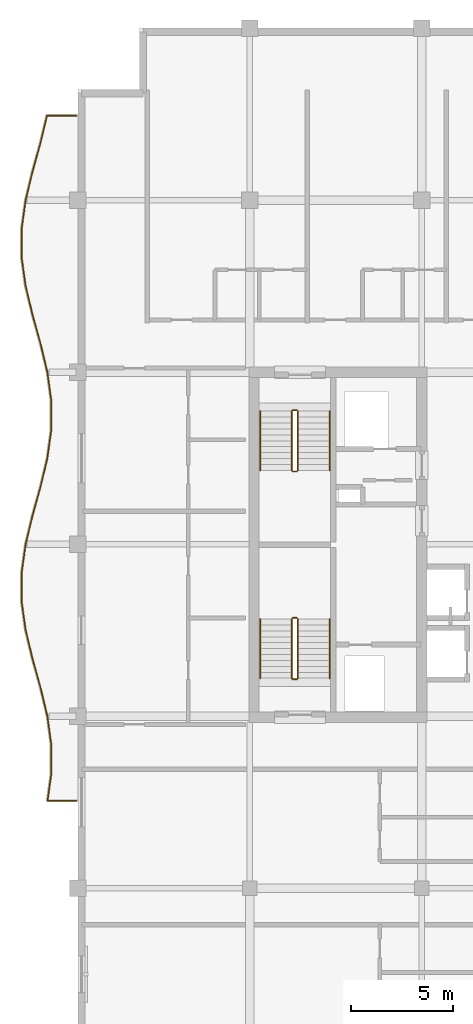
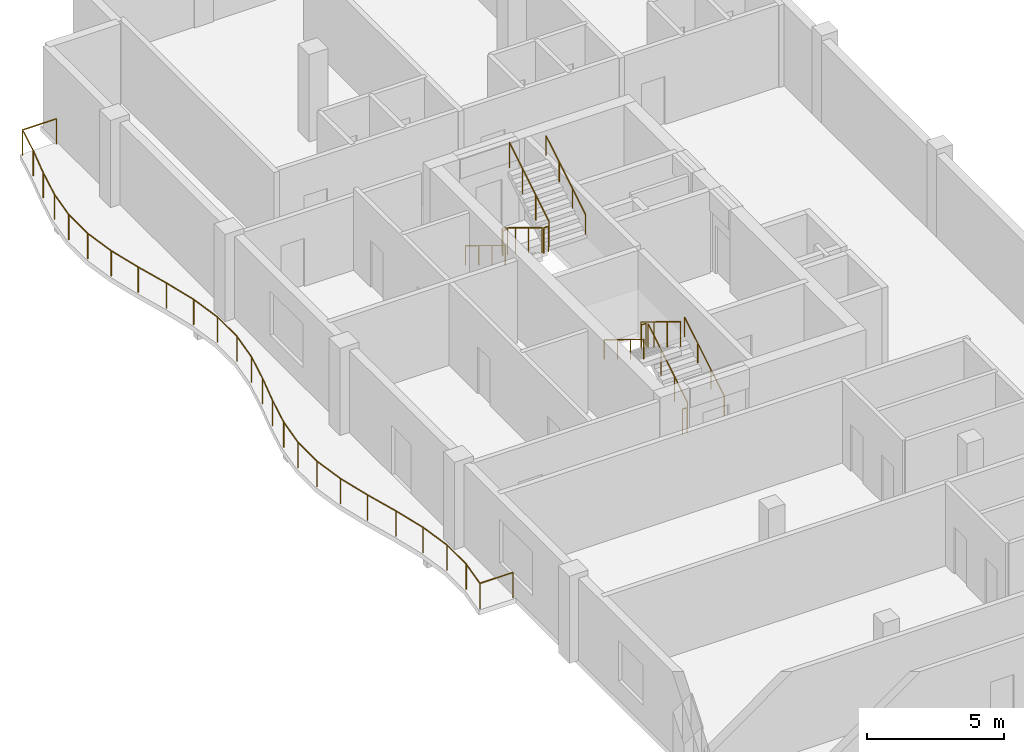
# One storey, part 12 of 12: 13 railings.
"""IFC4 building model written with IfcOpenShell, lengths in metres."""

from ifc_helpers import new_model, si_unit, direction, frame, origin, origin_2d, place, context, subcontext, project, spatial, circle, extrude, material, type_object, element, save


model = new_model("IFC4")

# Units and contexts
model_context = context("Model", 3, precision=1e-05, world=origin(), true_north=direction((0.0, 1.0)))
body_context = subcontext(model_context, "Body", "Model", "MODEL_VIEW")
ifc_project = project(units=[si_unit("LENGTHUNIT", "METRE"), si_unit("AREAUNIT", "SQUARE_METRE"), si_unit("VOLUMEUNIT", "CUBIC_METRE"), si_unit("PLANEANGLEUNIT", "RADIAN"), si_unit("MASSUNIT", "GRAM", prefix="KILO")], contexts=[model_context])

# Site, building, storey
site_placement = place(None, origin())
site = spatial("IfcSite", under=ifc_project, at=site_placement, CompositionType="ELEMENT")
building_placement = place(site_placement, origin())
building = spatial("IfcBuilding", under=site, at=building_placement, Name="Koriwani Terraces Tower", CompositionType="ELEMENT")
storey_placement = place(building_placement, frame((0.0, 0.0, 328.10009765625)))
storey = spatial("IfcBuildingStorey", under=building, at=storey_placement, Name="L81", CompositionType="ELEMENT", Elevation=328.10009765625)

# Railings
ifc_material = material(Name="Steel ASTM A572 Grade 50", Category="steel")
railing_type_1 = type_object("IfcRailingType", Name="GUARD_BALUSTRADE_1150", PredefinedType="BALUSTRADE", material=ifc_material)
railing_1_placement = place(storey_placement, frame((8.320068359375, 37.8798828125, 0.0)))
element("IfcRailing", 1, at=railing_1_placement, inside=storey, type_object=railing_type_1, Name="L81 Balcony Perimeter Safety Balustrade (W)", PredefinedType="BALUSTRADE", context=body_context, shape_type="SweptSolid", body=[
    extrude(circle(Radius=0.02392578125, at=origin_2d()), frame((0.0, 0.0, 1.1259765625), z_axis=(-1.0, 0.0, 0.0), x_axis=(0.0, -1.0, 0.0)), (0.0, 0.0, 1.0), 1.39794921875),
    extrude(circle(Radius=0.02392578125, at=origin_2d()), frame((-1.39794921875, 0.0, 1.1259765625), z_axis=(0.137041987632, 0.99056523946, 0.0), x_axis=(-0.99056523946, 0.137041987632, 0.0)), (0.0, 0.0, 1.0), 1.3271484375),
    extrude(circle(Radius=0.02392578125, at=origin_2d()), frame((-1.216064453125, 1.314697265625, 1.1259765625), z_axis=(0.0, 1.0, 0.0), x_axis=(-1.0, 0.0, 0.0)), (0.0, 0.0, 1.0), 1.410888671875),
    extrude(circle(Radius=0.02392578125, at=origin_2d()), frame((-1.216064453125, 2.7255859375, 1.1259765625), z_axis=(-0.137264429555, 0.990534439774, 0.0), x_axis=(-0.990534439774, -0.137264429555, 0.0)), (0.0, 0.0, 1.0), 1.4228515625),
    extrude(circle(Radius=0.02392578125, at=origin_2d()), frame((-1.411376953125, 4.135009765625, 1.1259765625), z_axis=(-0.233340999769, 0.972394970075, 0.0), x_axis=(-0.972394970075, -0.233340999769, 0.0)), (0.0, 0.0, 1.0), 1.44482421875),
    extrude(circle(Radius=0.02392578125, at=origin_2d()), frame((-1.74853515625, 5.5400390625, 1.1259765625), z_axis=(-0.26716718525, 0.963650193341, 0.0), x_axis=(-0.963650193341, -0.26716718525, 0.0)), (0.0, 0.0, 1.0), 1.452880859375),
    extrude(circle(Radius=0.02392578125, at=origin_2d()), frame((-2.13671875, 6.940185546875, 1.1259765625), z_axis=(-0.233514568862, 0.972353303141, 0.0), x_axis=(-0.972353303141, -0.233514568862, 0.0)), (0.0, 0.0, 1.0), 1.434326171875),
    extrude(circle(Radius=0.02392578125, at=origin_2d()), frame((-2.4716796875, 8.3349609375, 1.1259765625), z_axis=(-0.137378806302, 0.990518583157, 0.0), x_axis=(-0.990518583157, -0.137378806302, 0.0)), (0.0, 0.0, 1.0), 1.404052734375),
    extrude(circle(Radius=0.02392578125, at=origin_2d()), frame((-2.66455078125, 9.7255859375, 1.1259765625), z_axis=(0.0, 1.0, 0.0), x_axis=(-1.0, 0.0, 0.0)), (0.0, 0.0, 1.0), 1.388916015625),
    extrude(circle(Radius=0.02392578125, at=origin_2d()), frame((-2.66455078125, 11.114501953125, 1.1259765625), z_axis=(0.137378806302, 0.990518583157, 0.0), x_axis=(-0.990518583157, 0.137378806302, 0.0)), (0.0, 0.0, 1.0), 1.404052734375),
    extrude(circle(Radius=0.02392578125, at=origin_2d()), frame((-2.4716796875, 12.505126953125, 1.1259765625), z_axis=(0.23347592966, 0.972362581689, 0.0), x_axis=(-0.972362581689, 0.23347592966, 0.0)), (0.0, 0.0, 1.0), 1.4345703125),
    extrude(circle(Radius=0.02392578125, at=origin_2d()), frame((-2.13671875, 13.900146484375, 1.1259765625), z_axis=(0.267210452187, 0.963638196753, 0.0), x_axis=(-0.963638196753, 0.267210452187, 0.0)), (0.0, 0.0, 1.0), 1.45263671875),
    extrude(circle(Radius=0.02392578125, at=origin_2d()), frame((-1.74853515625, 15.300048828125, 1.1259765625), z_axis=(0.233302667738, 0.972404167631, 0.0), x_axis=(-0.972404167631, 0.233302667738, 0.0)), (0.0, 0.0, 1.0), 1.445068359375),
    extrude(circle(Radius=0.02392578125, at=origin_2d()), frame((-1.411376953125, 16.705322265625, 1.1259765625), z_axis=(0.137287762455, 0.990531206111, 0.0), x_axis=(-0.990531206111, 0.137287762455, 0.0)), (0.0, 0.0, 1.0), 1.422607421875),
    extrude(circle(Radius=0.02392578125, at=origin_2d()), frame((-1.216064453125, 18.114501953125, 1.1259765625), z_axis=(0.0, 1.0, 0.0), x_axis=(-1.0, 0.0, 0.0)), (0.0, 0.0, 1.0), 1.4111328125),
    extrude(circle(Radius=0.02392578125, at=origin_2d()), frame((-1.216064453125, 19.525634765625, 1.1259765625), z_axis=(-0.137287762455, 0.990531206111, 0.0), x_axis=(-0.990531206111, -0.137287762455, 0.0)), (0.0, 0.0, 1.0), 1.422607421875),
    extrude(circle(Radius=0.02392578125, at=origin_2d()), frame((-1.411376953125, 20.934814453125, 1.1259765625), z_axis=(-0.233302667738, 0.972404167631, 0.0), x_axis=(-0.972404167631, -0.233302667738, 0.0)), (0.0, 0.0, 1.0), 1.445068359375),
    extrude(circle(Radius=0.02392578125, at=origin_2d()), frame((-1.74853515625, 22.340087890625, 1.1259765625), z_axis=(-0.26716718525, 0.963650193341, 0.0), x_axis=(-0.963650193341, -0.26716718525, 0.0)), (0.0, 0.0, 1.0), 1.452880859375),
    extrude(circle(Radius=0.02392578125, at=origin_2d()), frame((-2.13671875, 23.740234375, 1.1259765625), z_axis=(-0.233514568862, 0.972353303141, 0.0), x_axis=(-0.972353303141, -0.233514568862, 0.0)), (0.0, 0.0, 1.0), 1.434326171875),
    extrude(circle(Radius=0.02392578125, at=origin_2d()), frame((-2.4716796875, 25.135009765625, 1.1259765625), z_axis=(-0.137378806302, 0.990518583157, 0.0), x_axis=(-0.990518583157, -0.137378806302, 0.0)), (0.0, 0.0, 1.0), 1.404052734375),
    extrude(circle(Radius=0.02392578125, at=origin_2d()), frame((-2.66455078125, 26.525634765625, 1.1259765625), z_axis=(0.0, 1.0, 0.0), x_axis=(-1.0, 0.0, 0.0)), (0.0, 0.0, 1.0), 1.388916015625),
    extrude(circle(Radius=0.02392578125, at=origin_2d()), frame((-2.66455078125, 27.91455078125, 1.1259765625), z_axis=(0.137378806302, 0.990518583157, 0.0), x_axis=(-0.990518583157, 0.137378806302, 0.0)), (0.0, 0.0, 1.0), 1.404052734375),
    extrude(circle(Radius=0.02392578125, at=origin_2d()), frame((-2.4716796875, 29.30517578125, 1.1259765625), z_axis=(0.23347592966, 0.972362581689, 0.0), x_axis=(-0.972362581689, 0.23347592966, 0.0)), (0.0, 0.0, 1.0), 1.4345703125),
    extrude(circle(Radius=0.02392578125, at=origin_2d()), frame((-2.13671875, 30.7001953125, 1.1259765625), z_axis=(0.267210452187, 0.963638196753, 0.0), x_axis=(-0.963638196753, 0.267210452187, 0.0)), (0.0, 0.0, 1.0), 1.45263671875),
    extrude(circle(Radius=0.02392578125, at=origin_2d()), frame((-1.74853515625, 32.10009765625, 1.1259765625), z_axis=(0.233480150638, 0.972361568172, 0.0), x_axis=(-0.972361568172, 0.233480150638, 0.0)), (0.0, 0.0, 1.0), 1.378173828125),
    extrude(circle(Radius=0.02392578125, at=origin_2d()), frame((-1.4267578125, 33.440185546875, 1.1259765625), z_axis=(1.0, 0.0, 0.0), x_axis=(0.0, 1.0, 0.0)), (0.0, 0.0, 1.0), 1.4267578125),
    extrude(circle(Radius=0.02099609375, at=origin_2d()), origin(), (0.0, 0.0, 1.0), 1.101806640625),
    extrude(circle(Radius=0.02099609375, at=origin_2d()), frame((-1.39794921875, 0.0, 0.0)), (0.0, 0.0, 1.0), 1.101806640625),
    extrude(circle(Radius=0.02099609375, at=origin_2d()), frame((-1.216064453125, 1.314697265625, 0.0)), (0.0, 0.0, 1.0), 1.101806640625),
    extrude(circle(Radius=0.02099609375, at=origin_2d()), frame((-1.216064453125, 2.7255859375, 0.0)), (0.0, 0.0, 1.0), 1.101806640625),
    extrude(circle(Radius=0.02099609375, at=origin_2d()), frame((-1.411376953125, 4.135009765625, 0.0)), (0.0, 0.0, 1.0), 1.101806640625),
    extrude(circle(Radius=0.02099609375, at=origin_2d()), frame((-1.74853515625, 5.5400390625, 0.0)), (0.0, 0.0, 1.0), 1.101806640625),
    extrude(circle(Radius=0.02099609375, at=origin_2d()), frame((-2.13671875, 6.940185546875, 0.0)), (0.0, 0.0, 1.0), 1.101806640625),
    extrude(circle(Radius=0.02099609375, at=origin_2d()), frame((-2.4716796875, 8.3349609375, 0.0)), (0.0, 0.0, 1.0), 1.101806640625),
    extrude(circle(Radius=0.02099609375, at=origin_2d()), frame((-2.66455078125, 9.7255859375, 0.0)), (0.0, 0.0, 1.0), 1.101806640625),
    extrude(circle(Radius=0.02099609375, at=origin_2d()), frame((-2.66455078125, 11.114501953125, 0.0)), (0.0, 0.0, 1.0), 1.101806640625),
    extrude(circle(Radius=0.02099609375, at=origin_2d()), frame((-2.4716796875, 12.505126953125, 0.0)), (0.0, 0.0, 1.0), 1.101806640625),
    extrude(circle(Radius=0.02099609375, at=origin_2d()), frame((-2.13671875, 13.900146484375, 0.0)), (0.0, 0.0, 1.0), 1.101806640625),
    extrude(circle(Radius=0.02099609375, at=origin_2d()), frame((-1.74853515625, 15.300048828125, 0.0)), (0.0, 0.0, 1.0), 1.101806640625),
    extrude(circle(Radius=0.02099609375, at=origin_2d()), frame((-1.411376953125, 16.705322265625, 0.0)), (0.0, 0.0, 1.0), 1.101806640625),
    extrude(circle(Radius=0.02099609375, at=origin_2d()), frame((-1.216064453125, 18.114501953125, 0.0)), (0.0, 0.0, 1.0), 1.101806640625),
    extrude(circle(Radius=0.02099609375, at=origin_2d()), frame((-1.216064453125, 19.525634765625, 0.0)), (0.0, 0.0, 1.0), 1.101806640625),
    extrude(circle(Radius=0.02099609375, at=origin_2d()), frame((-1.411376953125, 20.934814453125, 0.0)), (0.0, 0.0, 1.0), 1.101806640625),
    extrude(circle(Radius=0.02099609375, at=origin_2d()), frame((-1.74853515625, 22.340087890625, 0.0)), (0.0, 0.0, 1.0), 1.101806640625),
    extrude(circle(Radius=0.02099609375, at=origin_2d()), frame((-2.13671875, 23.740234375, 0.0)), (0.0, 0.0, 1.0), 1.101806640625),
    extrude(circle(Radius=0.02099609375, at=origin_2d()), frame((-2.4716796875, 25.135009765625, 0.0)), (0.0, 0.0, 1.0), 1.101806640625),
    extrude(circle(Radius=0.02099609375, at=origin_2d()), frame((-2.66455078125, 26.525634765625, 0.0)), (0.0, 0.0, 1.0), 1.101806640625),
    extrude(circle(Radius=0.02099609375, at=origin_2d()), frame((-2.66455078125, 27.91455078125, 0.0)), (0.0, 0.0, 1.0), 1.101806640625),
    extrude(circle(Radius=0.02099609375, at=origin_2d()), frame((-2.4716796875, 29.30517578125, 0.0)), (0.0, 0.0, 1.0), 1.101806640625),
    extrude(circle(Radius=0.02099609375, at=origin_2d()), frame((-2.13671875, 30.7001953125, 0.0)), (0.0, 0.0, 1.0), 1.101806640625),
    extrude(circle(Radius=0.02099609375, at=origin_2d()), frame((-1.74853515625, 32.10009765625, 0.0)), (0.0, 0.0, 1.0), 1.101806640625),
    extrude(circle(Radius=0.02099609375, at=origin_2d()), frame((-1.4267578125, 33.440185546875, 0.0)), (0.0, 0.0, 1.0), 1.101806640625),
    extrude(circle(Radius=0.02099609375, at=origin_2d()), frame((0.0, 33.440185546875, 0.0)), (0.0, 0.0, 1.0), 1.101806640625),
])
railing_type_2 = type_object("IfcRailingType", Name="GUARD_STAIR_WELL_1120", PredefinedType="GUARDRAIL", material=ifc_material)
railing_2_placement = place(storey_placement, frame((19.14990234375, 43.85009765625, 0.17724609375)))
element("IfcRailing", 2, at=railing_2_placement, inside=storey, type_object=railing_type_2, Name="L81 ST-W1 stair guard 1", PredefinedType="GUARDRAIL", context=body_context, shape_type="SweptSolid", body=[
    extrude(circle(Radius=0.02392578125, at=origin_2d()), frame((0.0, 0.0, 1.1259765625), z_axis=(0.0, 0.853210801645, 0.521566225858), x_axis=(-1.0, 0.0, 0.0)), (0.0, 0.0, 1.0), 3.39892578125),
    extrude(circle(Radius=0.02099609375, at=origin_2d()), origin(), (0.0, 0.0, 1.0), 1.101806640625),
    extrude(circle(Radius=0.02099609375, at=origin_2d()), frame((0.0, 0.966552734375, 0.5908203125)), (0.0, 0.0, 1.0), 1.101806640625),
    extrude(circle(Radius=0.02099609375, at=origin_2d()), frame((0.0, 1.933349609375, 1.181884765625)), (0.0, 0.0, 1.0), 1.101806640625),
    extrude(circle(Radius=0.02099609375, at=origin_2d()), frame((0.0, 2.89990234375, 1.772705078125)), (0.0, 0.0, 1.0), 1.101806640625),
])
railing_3_placement = place(storey_placement, frame((19.10009765625, 46.800048828125, 1.949951171875)))
element("IfcRailing", 3, at=railing_3_placement, inside=storey, type_object=railing_type_2, Name="L81 ST-W1 stair guard 2", PredefinedType="GUARDRAIL", context=body_context, shape_type="SweptSolid", body=[
    extrude(circle(Radius=0.02392578125, at=origin_2d()), frame((0.0, 0.0, 1.1259765625), z_axis=(-1.0, 0.0, 0.0), x_axis=(0.0, -1.0, 0.0)), (0.0, 0.0, 1.0), 0.2001953125),
    extrude(circle(Radius=0.02099609375, at=origin_2d()), origin(), (0.0, 0.0, 1.0), 1.101806640625),
    extrude(circle(Radius=0.02099609375, at=origin_2d()), frame((-0.2001953125, 0.0, 0.0)), (0.0, 0.0, 1.0), 1.101806640625),
])
railing_4_placement = place(storey_placement, frame((18.85009765625, 46.75, 2.127197265625)))
element("IfcRailing", 4, at=railing_4_placement, inside=storey, type_object=railing_type_2, Name="L81 ST-W1 stair guard 3", PredefinedType="GUARDRAIL", context=body_context, shape_type="SweptSolid", body=[
    extrude(circle(Radius=0.02392578125, at=origin_2d()), frame((0.0, 0.0, 1.1259765625), z_axis=(0.0, -0.853210801645, 0.521566225858), x_axis=(1.0, 0.0, 0.0)), (0.0, 0.0, 1.0), 3.39892578125),
    extrude(circle(Radius=0.02099609375, at=origin_2d()), origin(), (0.0, 0.0, 1.0), 1.101806640625),
    extrude(circle(Radius=0.02099609375, at=origin_2d()), frame((0.0, -0.966552734375, 0.5908203125)), (0.0, 0.0, 1.0), 1.101806640625),
    extrude(circle(Radius=0.02099609375, at=origin_2d()), frame((0.0, -1.933349609375, 1.181884765625)), (0.0, 0.0, 1.0), 1.101806640625),
    extrude(circle(Radius=0.02099609375, at=origin_2d()), frame((0.0, -2.89990234375, 1.772705078125)), (0.0, 0.0, 1.0), 1.101806640625),
])
railing_5_placement = place(storey_placement, frame((19.10009765625, 43.800048828125, 0.0)))
element("IfcRailing", 5, at=railing_5_placement, inside=storey, type_object=railing_type_2, Name="L81 ST-W1 stair guard 4", PredefinedType="GUARDRAIL", context=body_context, shape_type="SweptSolid", body=[
    extrude(circle(Radius=0.02392578125, at=origin_2d()), frame((0.0, 0.0, 1.1259765625), z_axis=(-1.0, 0.0, 0.0), x_axis=(0.0, -1.0, 0.0)), (0.0, 0.0, 1.0), 0.2001953125),
    extrude(circle(Radius=0.02099609375, at=origin_2d()), origin(), (0.0, 0.0, 1.0), 1.101806640625),
    extrude(circle(Radius=0.02099609375, at=origin_2d()), frame((-0.2001953125, 0.0, 0.0)), (0.0, 0.0, 1.0), 1.101806640625),
])
railing_6_placement = place(storey_placement, frame((18.85009765625, 56.89990234375, 0.17724609375)))
element("IfcRailing", 6, at=railing_6_placement, inside=storey, type_object=railing_type_2, Name="L81 ST-W2 stair guard 1", PredefinedType="GUARDRAIL", context=body_context, shape_type="SweptSolid", body=[
    extrude(circle(Radius=0.02392578125, at=origin_2d()), frame((0.0, 0.0, 1.1259765625), z_axis=(0.0, -0.853210801645, 0.521566225858), x_axis=(1.0, 0.0, 0.0)), (0.0, 0.0, 1.0), 3.39892578125),
    extrude(circle(Radius=0.02099609375, at=origin_2d()), origin(), (0.0, 0.0, 1.0), 1.101806640625),
    extrude(circle(Radius=0.02099609375, at=origin_2d()), frame((0.0, -0.966552734375, 0.5908203125)), (0.0, 0.0, 1.0), 1.101806640625),
    extrude(circle(Radius=0.02099609375, at=origin_2d()), frame((0.0, -1.933349609375, 1.181884765625)), (0.0, 0.0, 1.0), 1.101806640625),
    extrude(circle(Radius=0.02099609375, at=origin_2d()), frame((0.0, -2.89990234375, 1.772705078125)), (0.0, 0.0, 1.0), 1.101806640625),
])
railing_7_placement = place(storey_placement, frame((18.89990234375, 53.949951171875, 1.949951171875)))
element("IfcRailing", 7, at=railing_7_placement, inside=storey, type_object=railing_type_2, Name="L81 ST-W2 stair guard 2", PredefinedType="GUARDRAIL", context=body_context, shape_type="SweptSolid", body=[
    extrude(circle(Radius=0.02392578125, at=origin_2d()), frame((0.0, 0.0, 1.1259765625), z_axis=(1.0, 0.0, 0.0), x_axis=(0.0, 1.0, 0.0)), (0.0, 0.0, 1.0), 0.2001953125),
    extrude(circle(Radius=0.02099609375, at=origin_2d()), origin(), (0.0, 0.0, 1.0), 1.101806640625),
    extrude(circle(Radius=0.02099609375, at=origin_2d()), frame((0.2001953125, 0.0, 0.0)), (0.0, 0.0, 1.0), 1.101806640625),
])
railing_8_placement = place(storey_placement, frame((19.14990234375, 54.0, 2.127197265625)))
element("IfcRailing", 8, at=railing_8_placement, inside=storey, type_object=railing_type_2, Name="L81 ST-W2 stair guard 3", PredefinedType="GUARDRAIL", context=body_context, shape_type="SweptSolid", body=[
    extrude(circle(Radius=0.02392578125, at=origin_2d()), frame((0.0, 0.0, 1.1259765625), z_axis=(0.0, 0.853210801645, 0.521566225858), x_axis=(-1.0, 0.0, 0.0)), (0.0, 0.0, 1.0), 3.39892578125),
    extrude(circle(Radius=0.02099609375, at=origin_2d()), origin(), (0.0, 0.0, 1.0), 1.101806640625),
    extrude(circle(Radius=0.02099609375, at=origin_2d()), frame((0.0, 0.966552734375, 0.5908203125)), (0.0, 0.0, 1.0), 1.101806640625),
    extrude(circle(Radius=0.02099609375, at=origin_2d()), frame((0.0, 1.933349609375, 1.181884765625)), (0.0, 0.0, 1.0), 1.101806640625),
    extrude(circle(Radius=0.02099609375, at=origin_2d()), frame((0.0, 2.89990234375, 1.772705078125)), (0.0, 0.0, 1.0), 1.101806640625),
])
railing_9_placement = place(storey_placement, frame((18.89990234375, 56.949951171875, 0.0)))
element("IfcRailing", 9, at=railing_9_placement, inside=storey, type_object=railing_type_2, Name="L81 ST-W2 stair guard 4", PredefinedType="GUARDRAIL", context=body_context, shape_type="SweptSolid", body=[
    extrude(circle(Radius=0.02392578125, at=origin_2d()), frame((0.0, 0.0, 1.1259765625), z_axis=(1.0, 0.0, 0.0), x_axis=(0.0, 1.0, 0.0)), (0.0, 0.0, 1.0), 0.2001953125),
    extrude(circle(Radius=0.02099609375, at=origin_2d()), origin(), (0.0, 0.0, 1.0), 1.101806640625),
    extrude(circle(Radius=0.02099609375, at=origin_2d()), frame((0.2001953125, 0.0, 0.0)), (0.0, 0.0, 1.0), 1.101806640625),
])
railing_type_3 = type_object("IfcRailingType", Name="HANDRAIL_STAIR_920", PredefinedType="HANDRAIL", material=ifc_material)
railing_10_placement = place(storey_placement, frame((20.699951171875, 43.85009765625, 0.17724609375)))
element("IfcRailing", 10, at=railing_10_placement, inside=storey, type_object=railing_type_3, Name="L81 ST-W1 stair handrail 1", PredefinedType="HANDRAIL", context=body_context, shape_type="SweptSolid", body=[
    extrude(circle(Radius=0.02392578125, at=origin_2d()), frame((0.0, 0.0, 0.8759765625), z_axis=(0.0, 0.853210801645, 0.521566225858), x_axis=(-1.0, 0.0, 0.0)), (0.0, 0.0, 1.0), 3.39892578125),
    extrude(circle(Radius=0.02099609375, at=origin_2d()), origin(), (0.0, 0.0, 1.0), 0.851806640625),
    extrude(circle(Radius=0.02099609375, at=origin_2d()), frame((0.0, 0.966552734375, 0.5908203125)), (0.0, 0.0, 1.0), 0.851806640625),
    extrude(circle(Radius=0.02099609375, at=origin_2d()), frame((0.0, 1.933349609375, 1.181884765625)), (0.0, 0.0, 1.0), 0.851806640625),
    extrude(circle(Radius=0.02099609375, at=origin_2d()), frame((0.0, 2.89990234375, 1.772705078125)), (0.0, 0.0, 1.0), 0.851806640625),
])
for number, where, name in (
    (11, (17.300048828125, 46.75, 2.127197265625), "L81 ST-W1 stair handrail 2"),
    (12, (17.300048828125, 56.89990234375, 0.17724609375), "L81 ST-W2 stair handrail 1"),
):
    element("IfcRailing", number, at=place(storey_placement, frame(where)), inside=storey, type_object=railing_type_3, Name=name, PredefinedType="HANDRAIL", context=body_context, shape_type="SweptSolid", body=[
        extrude(circle(Radius=0.02392578125, at=origin_2d()), frame((0.0, 0.0, 0.8759765625), z_axis=(0.0, -0.853210801645, 0.521566225858), x_axis=(1.0, 0.0, 0.0)), (0.0, 0.0, 1.0), 3.39892578125),
        extrude(circle(Radius=0.02099609375, at=origin_2d()), origin(), (0.0, 0.0, 1.0), 0.851806640625),
        extrude(circle(Radius=0.02099609375, at=origin_2d()), frame((0.0, -0.966552734375, 0.5908203125)), (0.0, 0.0, 1.0), 0.851806640625),
        extrude(circle(Radius=0.02099609375, at=origin_2d()), frame((0.0, -1.933349609375, 1.181884765625)), (0.0, 0.0, 1.0), 0.851806640625),
        extrude(circle(Radius=0.02099609375, at=origin_2d()), frame((0.0, -2.89990234375, 1.772705078125)), (0.0, 0.0, 1.0), 0.851806640625),
    ])
railing_11_placement = place(storey_placement, frame((20.699951171875, 54.0, 2.127197265625)))
element("IfcRailing", 13, at=railing_11_placement, inside=storey, type_object=railing_type_3, Name="L81 ST-W2 stair handrail 2", PredefinedType="HANDRAIL", context=body_context, shape_type="SweptSolid", body=[
    extrude(circle(Radius=0.02392578125, at=origin_2d()), frame((0.0, 0.0, 0.8759765625), z_axis=(0.0, 0.853210801645, 0.521566225858), x_axis=(-1.0, 0.0, 0.0)), (0.0, 0.0, 1.0), 3.39892578125),
    extrude(circle(Radius=0.02099609375, at=origin_2d()), origin(), (0.0, 0.0, 1.0), 0.851806640625),
    extrude(circle(Radius=0.02099609375, at=origin_2d()), frame((0.0, 0.966552734375, 0.5908203125)), (0.0, 0.0, 1.0), 0.851806640625),
    extrude(circle(Radius=0.02099609375, at=origin_2d()), frame((0.0, 1.933349609375, 1.181884765625)), (0.0, 0.0, 1.0), 0.851806640625),
    extrude(circle(Radius=0.02099609375, at=origin_2d()), frame((0.0, 2.89990234375, 1.772705078125)), (0.0, 0.0, 1.0), 0.851806640625),
])

save(model, "model.ifc")
